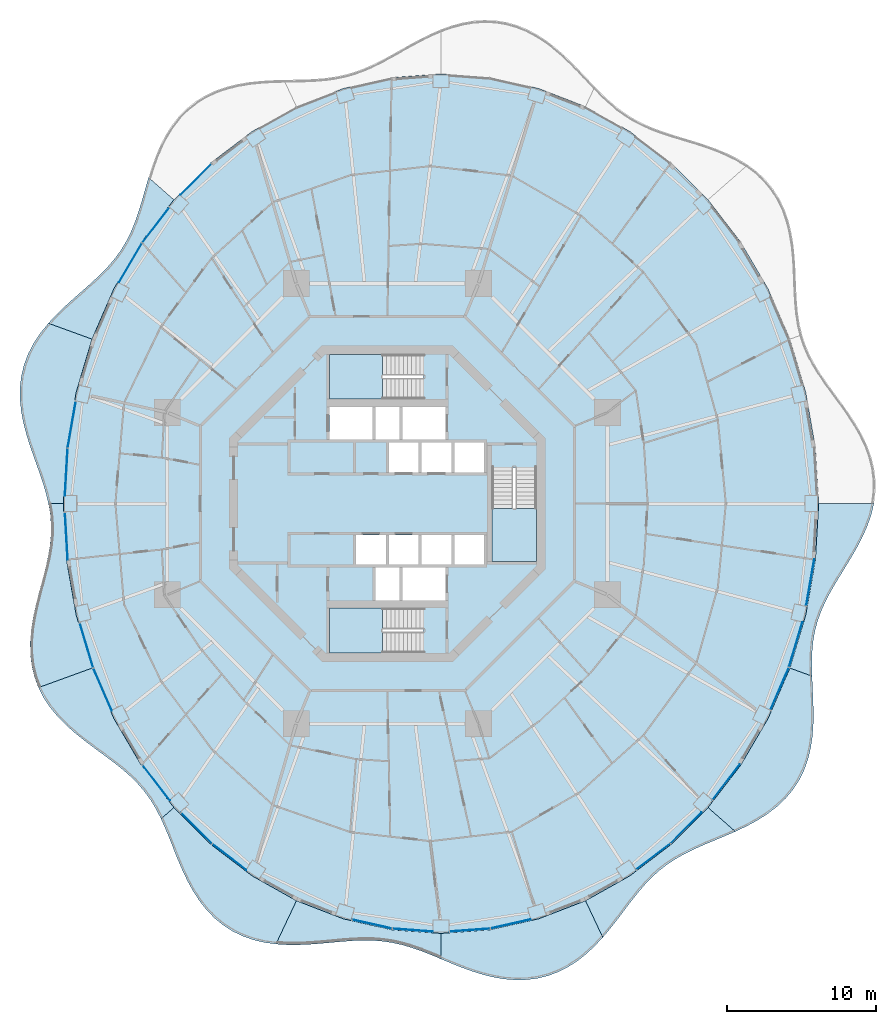
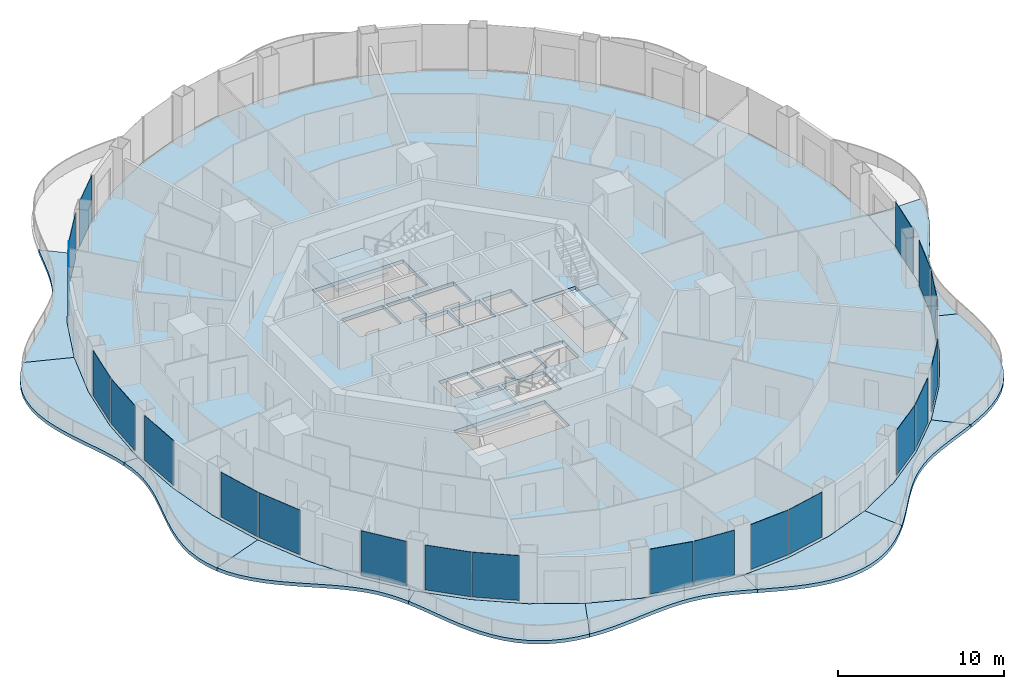
# One storey, part 9 of 19: 21 plates, 14 slabs, 24 elements without a shape of their own.
"""IFC4 building model written with IfcOpenShell, lengths in metres."""

from ifc_helpers import new_model, si_unit, direction, frame, origin, origin_2d, place, context, subcontext, project, spatial, polyline, rectangle, outline, extrude, material, layer, layer_set, type_object, element, aggregate, save


model = new_model("IFC4")

# Units and contexts
model_context = context("Model", 3, precision=1e-05, world=origin(), true_north=direction((0.0, 1.0)))
body_context = subcontext(model_context, "Body", "Model", "MODEL_VIEW")
ifc_project = project(units=[si_unit("LENGTHUNIT", "METRE"), si_unit("AREAUNIT", "SQUARE_METRE"), si_unit("VOLUMEUNIT", "CUBIC_METRE"), si_unit("PLANEANGLEUNIT", "RADIAN"), si_unit("MASSUNIT", "GRAM", prefix="KILO")], contexts=[model_context])

# Site, building, storey
site_placement = place(None, origin())
site = spatial("IfcSite", under=ifc_project, at=site_placement, CompositionType="ELEMENT")
building_placement = place(site_placement, origin())
building = spatial("IfcBuilding", under=site, at=building_placement, Name="Nagisa Residences", CompositionType="ELEMENT")
storey_placement = place(building_placement, frame((0.0, 0.0, 184.39990234375)))
storey = spatial("IfcBuildingStorey", under=building, at=storey_placement, Name="L46", CompositionType="ELEMENT", Elevation=184.39990234375)

# Slabs
ifc_material_1 = material(Name="Concrete C40/50", Category="concrete")
ifc_layer_1 = layer(ifc_material_1, 0.25)
ifc_layer_set_1 = layer_set([ifc_layer_1], Name="BALCONY SLAB 250")
slab_type_1 = type_object("IfcSlabType", Name="BALCONY SLAB 250", PredefinedType="FLOOR", material=ifc_layer_set_1)
slab_1_placement = place(storey_placement, frame((0.0, 0.0, -0.25)))
element("IfcSlab", 1, at=slab_1_placement, inside=storey, type_object=slab_type_1, Name="slab:L46:bal06", PredefinedType="FLOOR", context=body_context, shape_type="SweptSolid", body=[
    extrude(outline(polyline([(-16.041259765625, 21.910400390625), (-16.26611328125, 21.13525390625), (-16.483154296875, 20.375), (-16.706298828125, 19.638671875), (-16.949462890625, 18.9326171875), (-17.22412109375, 18.26123046875), (-17.540283203125, 17.625244140625), (-17.904541015625, 17.023681640625), (-18.3203125, 16.452880859375), (-18.787109375, 15.90673828125), (-19.301513671875, 15.378173828125), (-19.855712890625, 14.859130859375), (-20.439208984375, 14.340576171875), (-21.03857421875, 13.814208984375), (-21.638671875, 13.2724609375), (-22.22314453125, 12.70849609375), (-22.775390625, 12.1171875), (-19.843505859375, 11.050048828125), (-18.37548828125, 14.4375), (-16.53125, 17.577880859375), (-14.3427734375, 20.417724609375), (-16.041259765625, 21.910400390625)])), origin(), (0.0, 0.0, 1.0), 0.25),
])
slab_2_placement = place(storey_placement, frame((0.0, 0.0, -0.25)))
element("IfcSlab", 2, at=slab_2_placement, inside=storey, type_object=slab_type_1, Name="slab:L46:bal07", PredefinedType="FLOOR", context=body_context, shape_type="SweptSolid", body=[
    extrude(outline(polyline([(-22.775390625, 12.1171875), (-23.29443359375, 11.47509765625), (-23.74658203125, 10.798828125), (-24.118896484375, 10.08935546875), (-24.401611328125, 9.34912109375), (-24.58935546875, 8.58251953125), (-24.681396484375, 7.79541015625), (-24.68115234375, 6.993896484375), (-24.5966796875, 6.184814453125), (-24.43994140625, 5.37451171875), (-24.225830078125, 4.5693359375), (-23.97216796875, 3.77392578125), (-23.6982421875, 2.9912109375), (-23.423095703125, 2.22314453125), (-23.1650390625, 1.469970703125), (-22.94140625, 0.729736328125), (-22.765625, 0.0), (-21.77490234375, 0.0), (-21.557861328125, 3.76904296875), (-20.910400390625, 7.473388671875), (-19.843505859375, 11.050048828125), (-22.775390625, 12.1171875)])), origin(), (0.0, 0.0, 1.0), 0.25),
])
slab_3_placement = place(storey_placement, frame((0.0, 0.0, -0.25)))
element("IfcSlab", 3, at=slab_3_placement, inside=storey, type_object=slab_type_1, Name="slab:L46:bal08", PredefinedType="FLOOR", context=body_context, shape_type="SweptSolid", body=[
    extrude(outline(polyline([(-22.765625, 0.0), (-22.64794921875, -0.723388671875), (-22.5947265625, -1.4453125), (-22.607177734375, -2.170654296875), (-22.682373046875, -2.90380859375), (-22.812744140625, -3.648681640625), (-22.986572265625, -4.40869140625), (-23.18896484375, -5.184814453125), (-23.402587890625, -5.976806640625), (-23.608642578125, -6.782958984375), (-23.787841796875, -7.599365234375), (-23.921875, -8.4208984375), (-23.994384765625, -9.240966796875), (-23.990966796875, -10.05224609375), (-23.9013671875, -10.847412109375), (-23.719482421875, -11.618896484375), (-23.443359375, -12.3603515625), (-19.843505859375, -11.050048828125), (-20.910400390625, -7.473388671875), (-21.557861328125, -3.76904296875), (-21.77490234375, 0.0), (-22.765625, 0.0)])), origin(), (0.0, 0.0, 1.0), 0.25),
])
slab_4_placement = place(storey_placement, frame((0.0, 0.0, -0.25)))
element("IfcSlab", 4, at=slab_4_placement, inside=storey, type_object=slab_type_1, Name="slab:L46:bal09", PredefinedType="FLOOR", context=body_context, shape_type="SweptSolid", body=[
    extrude(outline(polyline([(-23.443359375, -12.3603515625), (-23.08837890625, -13.045166015625), (-22.6533203125, -13.693359375), (-22.14794921875, -14.303466796875), (-21.584716796875, -14.876708984375), (-20.977783203125, -15.415283203125), (-20.34326171875, -15.924560546875), (-19.697021484375, -16.41064453125), (-19.0546875, -16.882080078125), (-18.4306640625, -17.347900390625), (-17.837158203125, -17.81787109375), (-17.283203125, -18.301513671875), (-16.775390625, -18.8076171875), (-16.31591796875, -19.343505859375), (-15.904296875, -19.9150390625), (-15.535888671875, -20.52490234375), (-15.20361328125, -21.174072265625), (-14.3427734375, -20.417724609375), (-16.53125, -17.577880859375), (-18.37548828125, -14.4375), (-19.843505859375, -11.050048828125), (-23.443359375, -12.3603515625)])), origin(), (0.0, 0.0, 1.0), 0.25),
])
slab_5_placement = place(storey_placement, frame((0.0, 0.0, -0.25)))
element("IfcSlab", 5, at=slab_5_placement, inside=storey, type_object=slab_type_1, Name="slab:L46:bal10", PredefinedType="FLOOR", context=body_context, shape_type="SweptSolid", body=[
    extrude(outline(polyline([(-15.20361328125, -21.174072265625), (-14.9111328125, -21.826904296875), (-14.632080078125, -22.50830078125), (-14.355224609375, -23.21142578125), (-14.0693359375, -23.927001953125), (-13.7626953125, -24.64453125), (-13.42529296875, -25.352294921875), (-13.048095703125, -26.037353515625), (-12.624267578125, -26.687744140625), (-12.14892578125, -27.290771484375), (-11.6201171875, -27.836669921875), (-11.037841796875, -28.31591796875), (-10.40478515625, -28.722412109375), (-9.725830078125, -29.052490234375), (-9.00732421875, -29.305419921875), (-8.257568359375, -29.483642578125), (-7.485107421875, -29.593017578125), (-6.110595703125, -26.677001953125), (-9.08740234375, -25.006591796875), (-11.847412109375, -22.907958984375), (-14.3427734375, -20.417724609375), (-15.20361328125, -21.174072265625)])), origin(), (0.0, 0.0, 1.0), 0.25),
])
slab_6_placement = place(storey_placement, frame((0.0, 0.0, -0.25)))
element("IfcSlab", 6, at=slab_6_placement, inside=storey, type_object=slab_type_1, Name="slab:L46:bal11", PredefinedType="FLOOR", context=body_context, shape_type="SweptSolid", body=[
    extrude(outline(polyline([(-7.485107421875, -29.593017578125), (-6.7275390625, -29.640625), (-5.96533203125, -29.641357421875), (-5.20556640625, -29.606689453125), (-4.454833984375, -29.549072265625), (-3.71728515625, -29.4814453125), (-2.996826171875, -29.41650390625), (-2.294677734375, -29.36669921875), (-1.61083984375, -29.343017578125), (-0.94384765625, -29.353759765625), (-0.290283203125, -29.406005859375), (0.353759765625, -29.50341796875), (0.992919921875, -29.646484375), (1.632568359375, -29.833251953125), (2.27734375, -30.05859375), (2.931884765625, -30.314697265625), (3.60009765625, -30.591064453125), (3.60009765625, -28.875), (0.287841796875, -28.6279296875), (-2.967529296875, -27.89111328125), (-6.110595703125, -26.677001953125), (-7.485107421875, -29.593017578125)])), origin(), (0.0, 0.0, 1.0), 0.25),
])
slab_7_placement = place(storey_placement, frame((0.0, 0.0, -0.25)))
element("IfcSlab", 7, at=slab_7_placement, inside=storey, type_object=slab_type_1, Name="slab:L46:bal12", PredefinedType="FLOOR", context=body_context, shape_type="SweptSolid", body=[
    extrude(outline(polyline([(3.60009765625, -30.591064453125), (4.28369140625, -30.875732421875), (4.984375, -31.1552734375), (5.701171875, -31.415771484375), (6.432373046875, -31.643310546875), (7.17431640625, -31.82470703125), (7.921875, -31.94775390625), (8.669921875, -32.0029296875), (9.41162109375, -31.982666015625), (10.140625, -31.882080078125), (10.8505859375, -31.69970703125), (11.535400390625, -31.436279296875), (12.190673828125, -31.096435546875), (12.812744140625, -30.686767578125), (13.39990234375, -30.216552734375), (13.9521484375, -29.69677734375), (14.471435546875, -29.1396484375), (13.310546875, -26.677001953125), (10.16748046875, -27.89111328125), (6.912109375, -28.6279296875), (3.60009765625, -28.875), (3.60009765625, -30.591064453125)])), origin(), (0.0, 0.0, 1.0), 0.25),
])
slab_8_placement = place(storey_placement, frame((0.0, 0.0, -0.25)))
element("IfcSlab", 8, at=slab_8_placement, inside=storey, type_object=slab_type_1, Name="slab:L46:bal13", PredefinedType="FLOOR", context=body_context, shape_type="SweptSolid", body=[
    extrude(outline(polyline([(14.471435546875, -29.1396484375), (14.97900390625, -28.5361328125), (15.46044921875, -27.92138671875), (15.923583984375, -27.308837890625), (16.376708984375, -26.711669921875), (16.828857421875, -26.140380859375), (17.289306640625, -25.603271484375), (17.766357421875, -25.10595703125), (18.26806640625, -24.6513671875), (18.799560546875, -24.239013671875), (19.365234375, -23.8662109375), (19.96630859375, -23.52734375), (20.6015625, -23.21435546875), (21.26708984375, -22.918701171875), (21.957275390625, -22.62939453125), (22.663330078125, -22.3359375), (23.374755859375, -22.027587890625), (21.542724609375, -20.417724609375), (19.04736328125, -22.907958984375), (16.28759765625, -25.006591796875), (13.310546875, -26.677001953125), (14.471435546875, -29.1396484375)])), origin(), (0.0, 0.0, 1.0), 0.25),
])
slab_9_placement = place(storey_placement, frame((0.0, 0.0, -0.25)))
element("IfcSlab", 9, at=slab_9_placement, inside=storey, type_object=slab_type_1, Name="slab:L46:bal14", PredefinedType="FLOOR", context=body_context, shape_type="SweptSolid", body=[
    extrude(outline(polyline([(23.374755859375, -22.027587890625), (24.114501953125, -21.67724609375), (24.83349609375, -21.28955078125), (25.516845703125, -20.856201171875), (26.1513671875, -20.37158203125), (26.724853515625, -19.832763671875), (27.227294921875, -19.2392578125), (27.65185546875, -18.59326171875), (27.995361328125, -17.8994140625), (28.25732421875, -17.164306640625), (28.442138671875, -16.395751953125), (28.556884765625, -15.603271484375), (28.6123046875, -14.7958984375), (28.621337890625, -13.983154296875), (28.599365234375, -13.17333984375), (28.562744140625, -12.373779296875), (28.528076171875, -11.59033203125), (27.04345703125, -11.050048828125), (25.575439453125, -14.4375), (23.7314453125, -17.577880859375), (21.542724609375, -20.417724609375), (23.374755859375, -22.027587890625)])), origin(), (0.0, 0.0, 1.0), 0.25),
])
slab_10_placement = place(storey_placement, frame((0.0, 0.0, -0.25)))
element("IfcSlab", 10, at=slab_10_placement, inside=storey, type_object=slab_type_1, Name="slab:L46:bal15", PredefinedType="FLOOR", context=body_context, shape_type="SweptSolid", body=[
    extrude(outline(polyline([(28.528076171875, -11.59033203125), (28.510986328125, -10.80322265625), (28.528564453125, -10.03955078125), (28.59375, -9.2998046875), (28.716064453125, -8.58203125), (28.90087890625, -7.88232421875), (29.14892578125, -7.196044921875), (29.45703125, -6.517333984375), (29.81689453125, -5.840087890625), (30.216552734375, -5.15869140625), (30.64111328125, -4.467529296875), (31.07275390625, -3.76318359375), (31.49267578125, -3.042236328125), (31.88134765625, -2.30419921875), (32.22021484375, -1.549560546875), (32.492431640625, -0.7802734375), (32.6845703125, 0.0), (28.97509765625, 0.0), (28.7578125, -3.76904296875), (28.1103515625, -7.473388671875), (27.04345703125, -11.050048828125), (28.528076171875, -11.59033203125)])), origin(), (0.0, 0.0, 1.0), 0.25),
])

# Curtain wall, plate
ifc_material_2 = material(Name="Concrete-coloured aluminium curtain wall system", Category="concrete")
ifc_layer_2 = layer(ifc_material_2, 0.159912109375)
ifc_layer_set_2 = layer_set([ifc_layer_2], Name="CW1 CURTAIN WALL")
curtain_wall_type = type_object("IfcCurtainWallType", Name="CW1 CURTAIN WALL", PredefinedType="NOTDEFINED", material=ifc_layer_set_2)
curtain_wall_1_placement = place(storey_placement, origin())
curtain_wall_1 = element("IfcCurtainWall", 11, at=curtain_wall_1_placement, inside=storey, type_object=curtain_wall_type, Name="cw:CW1:L46:17", PredefinedType="NOTDEFINED")
ifc_material_3 = material(Name="Clear laminated glass", Category="glass")
ifc_layer_3 = layer(ifc_material_3, 0.028076171875)
ifc_layer_set_3 = layer_set([ifc_layer_3], Name="CW1 GLASS PANEL")
plate_type = type_object("IfcPlateType", Name="CW1 GLASS PANEL", PredefinedType="CURTAIN_PANEL", material=ifc_layer_set_3)
plate_1_placement = place(storey_placement, frame((-12.865234375, 21.779296875, 0.150146484375), z_axis=(0.0, 0.0, 1.0), x_axis=(-0.707835924016, -0.706376885714, 0.0)))
plate_1 = element("IfcPlate", 12, at=plate_1_placement, type_object=plate_type, Name="CW1 panel", PredefinedType="CURTAIN_PANEL", context=body_context, shape_type="SweptSolid", body=[
    extrude(rectangle(XDim=2.91552734375, YDim=0.028076171875, at=origin_2d()), origin(), (0.0, 0.0, 1.0), 3.2900390625),
])
aggregate(curtain_wall_1, [plate_1])

curtain_wall_2_placement = place(storey_placement, origin())
curtain_wall_2 = element("IfcCurtainWall", 13, at=curtain_wall_2_placement, inside=storey, type_object=curtain_wall_type, Name="cw:CW1:L46:18", PredefinedType="NOTDEFINED")
plate_2_placement = place(storey_placement, frame((-15.559814453125, 18.70751953125, 0.150146484375), z_axis=(0.0, 0.0, 1.0), x_axis=(-0.610429828235, -0.792070340816, 0.0)))
plate_2 = element("IfcPlate", 14, at=plate_2_placement, type_object=plate_type, Name="CW1 panel", PredefinedType="CURTAIN_PANEL", context=body_context, shape_type="SweptSolid", body=[
    extrude(rectangle(XDim=2.97509765625, YDim=0.028076171875, at=origin_2d()), origin(), (0.0, 0.0, 1.0), 3.2900390625),
])
aggregate(curtain_wall_2, [plate_2])

curtain_wall_3_placement = place(storey_placement, origin())
curtain_wall_3 = element("IfcCurtainWall", 15, at=curtain_wall_3_placement, inside=storey, type_object=curtain_wall_type, Name="cw:CW1:L46:19", PredefinedType="NOTDEFINED")
plate_3_placement = place(storey_placement, frame((-17.26025390625, 16.178466796875, 0.150146484375), z_axis=(0.0, 0.0, 1.0), x_axis=(-0.506348567002, -0.862328898214, 0.0)))
plate_3 = element("IfcPlate", 16, at=plate_3_placement, type_object=plate_type, Name="CW1 panel", PredefinedType="CURTAIN_PANEL", context=body_context, shape_type="SweptSolid", body=[
    extrude(rectangle(XDim=3.031982421875, YDim=0.028076171875, at=origin_2d()), origin(), (0.0, 0.0, 1.0), 3.2900390625),
])
aggregate(curtain_wall_3, [plate_3])

curtain_wall_4_placement = place(storey_placement, origin())
curtain_wall_4 = element("IfcCurtainWall", 17, at=curtain_wall_4_placement, inside=storey, type_object=curtain_wall_type, Name="cw:CW1:L46:22", PredefinedType="NOTDEFINED")
plate_4_placement = place(storey_placement, frame((-21.207763671875, 5.306884765625, 0.150146484375), z_axis=(0.0, 0.0, 1.0), x_axis=(-0.172190868898, -0.985063604377, 0.0)))
plate_4 = element("IfcPlate", 18, at=plate_4_placement, type_object=plate_type, Name="CW1 panel", PredefinedType="CURTAIN_PANEL", context=body_context, shape_type="SweptSolid", body=[
    extrude(rectangle(XDim=3.150634765625, YDim=0.028076171875, at=origin_2d()), origin(), (0.0, 0.0, 1.0), 3.2900390625),
])
aggregate(curtain_wall_4, [plate_4])

curtain_wall_5_placement = place(storey_placement, origin())
curtain_wall_5 = element("IfcCurtainWall", 19, at=curtain_wall_5_placement, inside=storey, type_object=curtain_wall_type, Name="cw:CW1:L46:23", PredefinedType="NOTDEFINED")
plate_5_placement = place(storey_placement, frame((-21.572509765625, 2.12451171875, 0.150146484375), z_axis=(0.0, 0.0, 1.0), x_axis=(-0.057503492216, -0.998345305184, 0.0)))
plate_5 = element("IfcPlate", 20, at=plate_5_placement, type_object=plate_type, Name="CW1 panel", PredefinedType="CURTAIN_PANEL", context=body_context, shape_type="SweptSolid", body=[
    extrude(rectangle(XDim=3.165283203125, YDim=0.028076171875, at=origin_2d()), origin(), (0.0, 0.0, 1.0), 3.2900390625),
])
aggregate(curtain_wall_5, [plate_5])

curtain_wall_6_placement = place(storey_placement, origin())
curtain_wall_6 = element("IfcCurtainWall", 21, at=curtain_wall_6_placement, inside=storey, type_object=curtain_wall_type, Name="cw:CW1:L46:24", PredefinedType="NOTDEFINED")
plate_6_placement = place(storey_placement, frame((-21.569091796875, -2.184326171875, 0.150146484375), z_axis=(0.0, 0.0, 1.0), x_axis=(0.057503492216, -0.998345305184, 0.0)))
plate_6 = element("IfcPlate", 22, at=plate_6_placement, type_object=plate_type, Name="CW1 panel", PredefinedType="CURTAIN_PANEL", context=body_context, shape_type="SweptSolid", body=[
    extrude(rectangle(XDim=3.165283203125, YDim=0.028076171875, at=origin_2d()), origin(), (0.0, 0.0, 1.0), 3.2900390625),
])
aggregate(curtain_wall_6, [plate_6])

curtain_wall_7_placement = place(storey_placement, origin())
curtain_wall_7 = element("IfcCurtainWall", 23, at=curtain_wall_7_placement, inside=storey, type_object=curtain_wall_type, Name="cw:CW1:L46:26", PredefinedType="NOTDEFINED")
plate_7_placement = place(storey_placement, frame((-20.213134765625, -9.531005859375, 0.150146484375), z_axis=(0.0, 0.0, 1.0), x_axis=(0.285860274038, -0.958271310082, 0.0)))
plate_7 = element("IfcPlate", 24, at=plate_7_placement, type_object=plate_type, Name="CW1 panel", PredefinedType="CURTAIN_PANEL", context=body_context, shape_type="SweptSolid", body=[
    extrude(rectangle(XDim=3.122314453125, YDim=0.028076171875, at=origin_2d()), origin(), (0.0, 0.0, 1.0), 3.2900390625),
])
aggregate(curtain_wall_7, [plate_7])

curtain_wall_8_placement = place(storey_placement, origin())
curtain_wall_8 = element("IfcCurtainWall", 25, at=curtain_wall_8_placement, inside=storey, type_object=curtain_wall_type, Name="cw:CW1:L46:27", PredefinedType="NOTDEFINED")
plate_8_placement = place(storey_placement, frame((-19.133544921875, -12.487060546875, 0.150146484375), z_axis=(0.0, 0.0, 1.0), x_axis=(0.397635934147, -0.917543276295, 0.0)))
plate_8 = element("IfcPlate", 26, at=plate_8_placement, type_object=plate_type, Name="CW1 panel", PredefinedType="CURTAIN_PANEL", context=body_context, shape_type="SweptSolid", body=[
    extrude(rectangle(XDim=3.08203125, YDim=0.028076171875, at=origin_2d()), origin(), (0.0, 0.0, 1.0), 3.2900390625),
])
aggregate(curtain_wall_8, [plate_8])

curtain_wall_9_placement = place(storey_placement, origin())
curtain_wall_9 = element("IfcCurtainWall", 27, at=curtain_wall_9_placement, inside=storey, type_object=curtain_wall_type, Name="cw:CW1:L46:29", PredefinedType="NOTDEFINED")
plate_9_placement = place(storey_placement, frame((-15.523193359375, -18.7548828125, 0.150146484375), z_axis=(0.0, 0.0, 1.0), x_axis=(0.610429828235, -0.792070340816, 0.0)))
plate_9 = element("IfcPlate", 28, at=plate_9_placement, type_object=plate_type, Name="CW1 panel", PredefinedType="CURTAIN_PANEL", context=body_context, shape_type="SweptSolid", body=[
    extrude(rectangle(XDim=2.97509765625, YDim=0.028076171875, at=origin_2d()), origin(), (0.0, 0.0, 1.0), 3.2900390625),
])
aggregate(curtain_wall_9, [plate_9])

curtain_wall_10_placement = place(storey_placement, origin())
curtain_wall_10 = element("IfcCurtainWall", 29, at=curtain_wall_10_placement, inside=storey, type_object=curtain_wall_type, Name="cw:CW1:L46:30", PredefinedType="NOTDEFINED")
plate_10_placement = place(storey_placement, frame((-12.82275390625, -21.82177734375, 0.150146484375), z_axis=(0.0, 0.0, 1.0), x_axis=(0.707835924016, -0.706376885714, 0.0)))
plate_10 = element("IfcPlate", 30, at=plate_10_placement, type_object=plate_type, Name="CW1 panel", PredefinedType="CURTAIN_PANEL", context=body_context, shape_type="SweptSolid", body=[
    extrude(rectangle(XDim=2.91552734375, YDim=0.028076171875, at=origin_2d()), origin(), (0.0, 0.0, 1.0), 3.2900390625),
])
aggregate(curtain_wall_10, [plate_10])

curtain_wall_11_placement = place(storey_placement, origin())
curtain_wall_11 = element("IfcCurtainWall", 31, at=curtain_wall_11_placement, inside=storey, type_object=curtain_wall_type, Name="cw:CW1:L46:31", PredefinedType="NOTDEFINED")
plate_11_placement = place(storey_placement, frame((-10.614013671875, -23.745361328125, 0.150146484375), z_axis=(0.0, 0.0, 1.0), x_axis=(0.79603132756, -0.605255421737, 0.0)))
plate_11 = element("IfcPlate", 32, at=plate_11_placement, type_object=plate_type, Name="CW1 panel", PredefinedType="CURTAIN_PANEL", context=body_context, shape_type="SweptSolid", body=[
    extrude(rectangle(XDim=2.85693359375, YDim=0.028076171875, at=origin_2d()), origin(), (0.0, 0.0, 1.0), 3.2900390625),
])
aggregate(curtain_wall_11, [plate_11])

curtain_wall_12_placement = place(storey_placement, origin())
curtain_wall_12 = element("IfcCurtainWall", 33, at=curtain_wall_12_placement, inside=storey, type_object=curtain_wall_type, Name="cw:CW1:L46:34", PredefinedType="NOTDEFINED")
plate_12_placement = place(storey_placement, frame((-1.024658203125, -28.248779296875, 0.150146484375), z_axis=(0.0, 0.0, 1.0), x_axis=(0.975327274089, -0.2207639201, 0.0)))
plate_12 = element("IfcPlate", 34, at=plate_12_placement, type_object=plate_type, Name="CW1 panel", PredefinedType="CURTAIN_PANEL", context=body_context, shape_type="SweptSolid", body=[
    extrude(rectangle(XDim=2.727783203125, YDim=0.028076171875, at=origin_2d()), origin(), (0.0, 0.0, 1.0), 3.2900390625),
])
aggregate(curtain_wall_12, [plate_12])

curtain_wall_13_placement = place(storey_placement, origin())
curtain_wall_13 = element("IfcCurtainWall", 35, at=curtain_wall_13_placement, inside=storey, type_object=curtain_wall_type, Name="cw:CW1:L46:35", PredefinedType="NOTDEFINED")
plate_13_placement = place(storey_placement, frame((1.70556640625, -28.653564453125, 0.150146484375), z_axis=(0.0, 0.0, 1.0), x_axis=(0.997230168512, -0.074377355493, 0.0)))
plate_13 = element("IfcPlate", 36, at=plate_13_placement, type_object=plate_type, Name="CW1 panel", PredefinedType="CURTAIN_PANEL", context=body_context, shape_type="SweptSolid", body=[
    extrude(rectangle(XDim=2.711181640625, YDim=0.028076171875, at=origin_2d()), origin(), (0.0, 0.0, 1.0), 3.2900390625),
])
aggregate(curtain_wall_13, [plate_13])

curtain_wall_14_placement = place(storey_placement, origin())
curtain_wall_14 = element("IfcCurtainWall", 37, at=curtain_wall_14_placement, inside=storey, type_object=curtain_wall_type, Name="cw:CW1:L46:36", PredefinedType="NOTDEFINED")
plate_14_placement = place(storey_placement, frame((5.55419921875, -28.64892578125, 0.150146484375), z_axis=(0.0, 0.0, 1.0), x_axis=(0.997230168512, 0.074377355493, 0.0)))
plate_14 = element("IfcPlate", 38, at=plate_14_placement, type_object=plate_type, Name="CW1 panel", PredefinedType="CURTAIN_PANEL", context=body_context, shape_type="SweptSolid", body=[
    extrude(rectangle(XDim=2.711181640625, YDim=0.028076171875, at=origin_2d()), origin(), (0.0, 0.0, 1.0), 3.2900390625),
])
aggregate(curtain_wall_14, [plate_14])

curtain_wall_15_placement = place(storey_placement, origin())
curtain_wall_15 = element("IfcCurtainWall", 39, at=curtain_wall_15_placement, inside=storey, type_object=curtain_wall_type, Name="cw:CW1:L46:37", PredefinedType="NOTDEFINED")
plate_15_placement = place(storey_placement, frame((8.283203125, -28.235595703125, 0.150146484375), z_axis=(0.0, 0.0, 1.0), x_axis=(0.975327274089, 0.2207639201, 0.0)))
plate_15 = element("IfcPlate", 40, at=plate_15_placement, type_object=plate_type, Name="CW1 panel", PredefinedType="CURTAIN_PANEL", context=body_context, shape_type="SweptSolid", body=[
    extrude(rectangle(XDim=2.727783203125, YDim=0.028076171875, at=origin_2d()), origin(), (0.0, 0.0, 1.0), 3.2900390625),
])
aggregate(curtain_wall_15, [plate_15])

curtain_wall_16_placement = place(storey_placement, origin())
curtain_wall_16 = element("IfcCurtainWall", 41, at=curtain_wall_16_placement, inside=storey, type_object=curtain_wall_type, Name="cw:CW1:L46:40", PredefinedType="NOTDEFINED")
plate_16_placement = place(storey_placement, frame((17.86181640625, -23.708984375, 0.150146484375), z_axis=(0.0, 0.0, 1.0), x_axis=(0.79603132756, 0.605255421737, 0.0)))
plate_16 = element("IfcPlate", 42, at=plate_16_placement, type_object=plate_type, Name="CW1 panel", PredefinedType="CURTAIN_PANEL", context=body_context, shape_type="SweptSolid", body=[
    extrude(rectangle(XDim=2.85693359375, YDim=0.028076171875, at=origin_2d()), origin(), (0.0, 0.0, 1.0), 3.2900390625),
])
aggregate(curtain_wall_16, [plate_16])

curtain_wall_17_placement = place(storey_placement, origin())
curtain_wall_17 = element("IfcCurtainWall", 43, at=curtain_wall_17_placement, inside=storey, type_object=curtain_wall_type, Name="cw:CW1:L46:41", PredefinedType="NOTDEFINED")
plate_17_placement = place(storey_placement, frame((20.065185546875, -21.779296875, 0.150146484375), z_axis=(0.0, 0.0, 1.0), x_axis=(0.707835924016, 0.706376885714, 0.0)))
plate_17 = element("IfcPlate", 44, at=plate_17_placement, type_object=plate_type, Name="CW1 panel", PredefinedType="CURTAIN_PANEL", context=body_context, shape_type="SweptSolid", body=[
    extrude(rectangle(XDim=2.91552734375, YDim=0.028076171875, at=origin_2d()), origin(), (0.0, 0.0, 1.0), 3.2900390625),
])
aggregate(curtain_wall_17, [plate_17])

curtain_wall_18_placement = place(storey_placement, origin())
curtain_wall_18 = element("IfcCurtainWall", 45, at=curtain_wall_18_placement, inside=storey, type_object=curtain_wall_type, Name="cw:CW1:L46:42", PredefinedType="NOTDEFINED")
plate_18_placement = place(storey_placement, frame((22.760009765625, -18.70751953125, 0.150146484375), z_axis=(0.0, 0.0, 1.0), x_axis=(0.610429828235, 0.792070340816, 0.0)))
plate_18 = element("IfcPlate", 46, at=plate_18_placement, type_object=plate_type, Name="CW1 panel", PredefinedType="CURTAIN_PANEL", context=body_context, shape_type="SweptSolid", body=[
    extrude(rectangle(XDim=2.97509765625, YDim=0.028076171875, at=origin_2d()), origin(), (0.0, 0.0, 1.0), 3.2900390625),
])
aggregate(curtain_wall_18, [plate_18])

curtain_wall_19_placement = place(storey_placement, origin())
curtain_wall_19 = element("IfcCurtainWall", 47, at=curtain_wall_19_placement, inside=storey, type_object=curtain_wall_type, Name="cw:CW1:L46:44", PredefinedType="NOTDEFINED")
plate_19_placement = place(storey_placement, frame((26.357177734375, -12.43212890625, 0.150146484375), z_axis=(0.0, 0.0, 1.0), x_axis=(0.397635934147, 0.917543276295, 0.0)))
plate_19 = element("IfcPlate", 48, at=plate_19_placement, type_object=plate_type, Name="CW1 panel", PredefinedType="CURTAIN_PANEL", context=body_context, shape_type="SweptSolid", body=[
    extrude(rectangle(XDim=3.08203125, YDim=0.028076171875, at=origin_2d()), origin(), (0.0, 0.0, 1.0), 3.2900390625),
])
aggregate(curtain_wall_19, [plate_19])

curtain_wall_20_placement = place(storey_placement, origin())
curtain_wall_20 = element("IfcCurtainWall", 49, at=curtain_wall_20_placement, inside=storey, type_object=curtain_wall_type, Name="cw:CW1:L46:45", PredefinedType="NOTDEFINED")
plate_20_placement = place(storey_placement, frame((27.43017578125, -9.4736328125, 0.150146484375), z_axis=(0.0, 0.0, 1.0), x_axis=(0.285860274038, 0.958271310082, 0.0)))
plate_20 = element("IfcPlate", 50, at=plate_20_placement, type_object=plate_type, Name="CW1 panel", PredefinedType="CURTAIN_PANEL", context=body_context, shape_type="SweptSolid", body=[
    extrude(rectangle(XDim=3.122314453125, YDim=0.028076171875, at=origin_2d()), origin(), (0.0, 0.0, 1.0), 3.2900390625),
])
aggregate(curtain_wall_20, [plate_20])

curtain_wall_21_placement = place(storey_placement, origin())
curtain_wall_21 = element("IfcCurtainWall", 51, at=curtain_wall_21_placement, inside=storey, type_object=curtain_wall_type, Name="cw:CW1:L46:46", PredefinedType="NOTDEFINED")
plate_21_placement = place(storey_placement, frame((28.407958984375, -5.306884765625, 0.150146484375), z_axis=(0.0, 0.0, 1.0), x_axis=(0.172190868898, 0.985063604377, 0.0)))
plate_21 = element("IfcPlate", 52, at=plate_21_placement, type_object=plate_type, Name="CW1 panel", PredefinedType="CURTAIN_PANEL", context=body_context, shape_type="SweptSolid", body=[
    extrude(rectangle(XDim=3.150634765625, YDim=0.028076171875, at=origin_2d()), origin(), (0.0, 0.0, 1.0), 3.2900390625),
])
aggregate(curtain_wall_21, [plate_21])

# Slab
ifc_material_4 = material(Name="Concrete C40", Category="concrete")
ifc_layer_4 = layer(ifc_material_4, 0.260009765625)
ifc_layer_set_4 = layer_set([ifc_layer_4], Name="Floor slab 260")
slab_type_2 = type_object("IfcSlabType", Name="Floor slab 260", PredefinedType="FLOOR", material=ifc_layer_set_4)
slab_11_placement = place(storey_placement, frame((0.0, 0.0, -0.260009765625)))
element("IfcSlab", 53, at=slab_11_placement, inside=storey, type_object=slab_type_2, Name="slab:L46:floor", PredefinedType="FLOOR", context=body_context, shape_type="SweptSolid", body=[
    extrude(outline(polyline([(28.97509765625, 0.0), (28.7578125, 3.76904296875), (28.1103515625, 7.473388671875), (27.04345703125, 11.050048828125), (25.575439453125, 14.4375), (23.7314453125, 17.577880859375), (21.542724609375, 20.417724609375), (19.04736328125, 22.907958984375), (16.28759765625, 25.006591796875), (13.310546875, 26.677001953125), (10.16748046875, 27.89111328125), (6.912109375, 28.6279296875), (3.60009765625, 28.875), (0.287841796875, 28.6279296875), (-2.967529296875, 27.89111328125), (-6.110595703125, 26.677001953125), (-9.08740234375, 25.006591796875), (-11.847412109375, 22.907958984375), (-14.3427734375, 20.417724609375), (-16.53125, 17.577880859375), (-18.37548828125, 14.4375), (-19.843505859375, 11.050048828125), (-20.910400390625, 7.473388671875), (-21.557861328125, 3.76904296875), (-21.77490234375, 0.0), (-21.557861328125, -3.76904296875), (-20.910400390625, -7.473388671875), (-19.843505859375, -11.050048828125), (-18.37548828125, -14.4375), (-16.53125, -17.577880859375), (-14.3427734375, -20.417724609375), (-11.847412109375, -22.907958984375), (-9.08740234375, -25.006591796875), (-6.110595703125, -26.677001953125), (-2.967529296875, -27.89111328125), (0.287841796875, -28.6279296875), (3.60009765625, -28.875), (6.912109375, -28.6279296875), (10.16748046875, -27.89111328125), (13.310546875, -26.677001953125), (16.28759765625, -25.006591796875), (19.04736328125, -22.907958984375), (21.542724609375, -20.417724609375), (23.7314453125, -17.577880859375), (25.575439453125, -14.4375), (27.04345703125, -11.050048828125), (28.1103515625, -7.473388671875), (28.7578125, -3.76904296875), (28.97509765625, 0.0)]), holes=[polyline([(2.10009765625, 2.10009765625), (2.10009765625, 4.10009765625), (0.10009765625, 4.10009765625), (0.10009765625, 2.10009765625), (2.10009765625, 2.10009765625)]), polyline([(4.300048828125, 2.10009765625), (4.300048828125, 4.10009765625), (2.300048828125, 4.10009765625), (2.300048828125, 2.10009765625), (4.300048828125, 2.10009765625)]), polyline([(6.5, 2.10009765625), (6.5, 4.10009765625), (4.5, 4.10009765625), (4.5, 2.10009765625), (6.5, 2.10009765625)]), polyline([(-0.10009765625, -4.10009765625), (-0.10009765625, -2.10009765625), (-2.10009765625, -2.10009765625), (-2.10009765625, -4.10009765625), (-0.10009765625, -4.10009765625)]), polyline([(2.10009765625, -4.10009765625), (2.10009765625, -2.10009765625), (0.10009765625, -2.10009765625), (0.10009765625, -4.10009765625), (2.10009765625, -4.10009765625)]), polyline([(4.300048828125, -4.10009765625), (4.300048828125, -2.10009765625), (2.300048828125, -2.10009765625), (2.300048828125, -4.10009765625), (4.300048828125, -4.10009765625)]), polyline([(6.5, -4.10009765625), (6.5, -2.10009765625), (4.5, -2.10009765625), (4.5, -4.10009765625), (6.5, -4.10009765625)]), polyline([(3.89990234375, 4.300048828125), (3.89990234375, 6.5), (1.0, 6.5), (1.0, 4.300048828125), (3.89990234375, 4.300048828125)]), polyline([(3.89990234375, -6.5), (3.89990234375, -4.300048828125), (1.0, -4.300048828125), (1.0, -6.5), (3.89990234375, -6.5)]), polyline([(-1.0, 4.300048828125), (-1.0, 6.5), (-3.89990234375, 6.5), (-3.89990234375, 4.300048828125), (-1.0, 4.300048828125)]), polyline([(0.800048828125, 4.300048828125), (0.800048828125, 6.5), (-0.800048828125, 6.5), (-0.800048828125, 4.300048828125), (0.800048828125, 4.300048828125)]), polyline([(0.800048828125, -6.5), (0.800048828125, -4.300048828125), (-0.800048828125, -4.300048828125), (-0.800048828125, -6.5), (0.800048828125, -6.5)]), polyline([(10.024658203125, -3.89990234375), (7.024658203125, -3.89990234375), (7.024658203125, 2.425048828125), (10.024658203125, 2.425048828125), (10.024658203125, -3.89990234375)]), polyline([(-3.89990234375, 7.024658203125), (-3.89990234375, 10.024658203125), (2.425048828125, 10.024658203125), (2.425048828125, 7.024658203125), (-3.89990234375, 7.024658203125)]), polyline([(-3.89990234375, -10.024658203125), (-3.89990234375, -7.024658203125), (2.425048828125, -7.024658203125), (2.425048828125, -10.024658203125), (-3.89990234375, -10.024658203125)])]), origin(), (0.0, 0.0, 1.0), 0.260009765625),
])

# Stair, slab
ifc_material_5 = material(Name="Concrete C60", Category="concrete")
stair_type = type_object("IfcStairType", Name="Exit stair", PredefinedType="HALF_TURN_STAIR", material=ifc_material_5)
stair_1_placement = place(storey_placement, origin())
stair_1 = element("IfcStair", 54, at=stair_1_placement, inside=storey, type_object=stair_type, Name="L46 Exit stair E", PredefinedType="HALF_TURN_STAIR")
ifc_material_6 = material(Name="Concrete C60", Category="concrete")
ifc_layer_5 = layer(ifc_material_6, 0.199951171875)
ifc_layer_set_5 = layer_set([ifc_layer_5], Name="Stair landing")
slab_type_3 = type_object("IfcSlabType", Name="Stair landing", PredefinedType="LANDING", material=ifc_layer_set_5)
slab_12_placement = place(storey_placement, frame((0.0, 0.0, 1.650146484375)))
slab_12 = element("IfcSlab", 55, at=slab_12_placement, type_object=slab_type_3, Name="ST-E landing 1", PredefinedType="LANDING", context=body_context, shape_type="SweptSolid", body=[
    extrude(outline(polyline([(7.024658203125, -0.324951171875), (7.024658203125, -3.89990234375), (10.024658203125, -3.89990234375), (10.024658203125, -0.324951171875), (7.024658203125, -0.324951171875)])), origin(), (0.0, 0.0, 1.0), 0.199951171875),
])
aggregate(stair_1, [slab_12])

stair_2_placement = place(storey_placement, origin())
stair_2 = element("IfcStair", 56, at=stair_2_placement, inside=storey, type_object=stair_type, Name="L46 Exit stair N", PredefinedType="HALF_TURN_STAIR")
slab_13_placement = place(storey_placement, frame((0.0, 0.0, 1.650146484375)))
slab_13 = element("IfcSlab", 57, at=slab_13_placement, type_object=slab_type_3, Name="ST-N landing 1", PredefinedType="LANDING", context=body_context, shape_type="SweptSolid", body=[
    extrude(outline(polyline([(-0.324951171875, 10.024658203125), (-3.89990234375, 10.024658203125), (-3.89990234375, 7.024658203125), (-0.324951171875, 7.024658203125), (-0.324951171875, 10.024658203125)])), origin(), (0.0, 0.0, 1.0), 0.199951171875),
])
aggregate(stair_2, [slab_13])

stair_3_placement = place(storey_placement, origin())
stair_3 = element("IfcStair", 58, at=stair_3_placement, inside=storey, type_object=stair_type, Name="L46 Exit stair S", PredefinedType="HALF_TURN_STAIR")
slab_14_placement = place(storey_placement, frame((0.0, 0.0, 1.650146484375)))
slab_14 = element("IfcSlab", 59, at=slab_14_placement, type_object=slab_type_3, Name="ST-S landing 1", PredefinedType="LANDING", context=body_context, shape_type="SweptSolid", body=[
    extrude(outline(polyline([(-0.324951171875, -7.024658203125), (-3.89990234375, -7.024658203125), (-3.89990234375, -10.024658203125), (-0.324951171875, -10.024658203125), (-0.324951171875, -7.024658203125)])), origin(), (0.0, 0.0, 1.0), 0.199951171875),
])
aggregate(stair_3, [slab_14])

save(model, "model.ifc")
